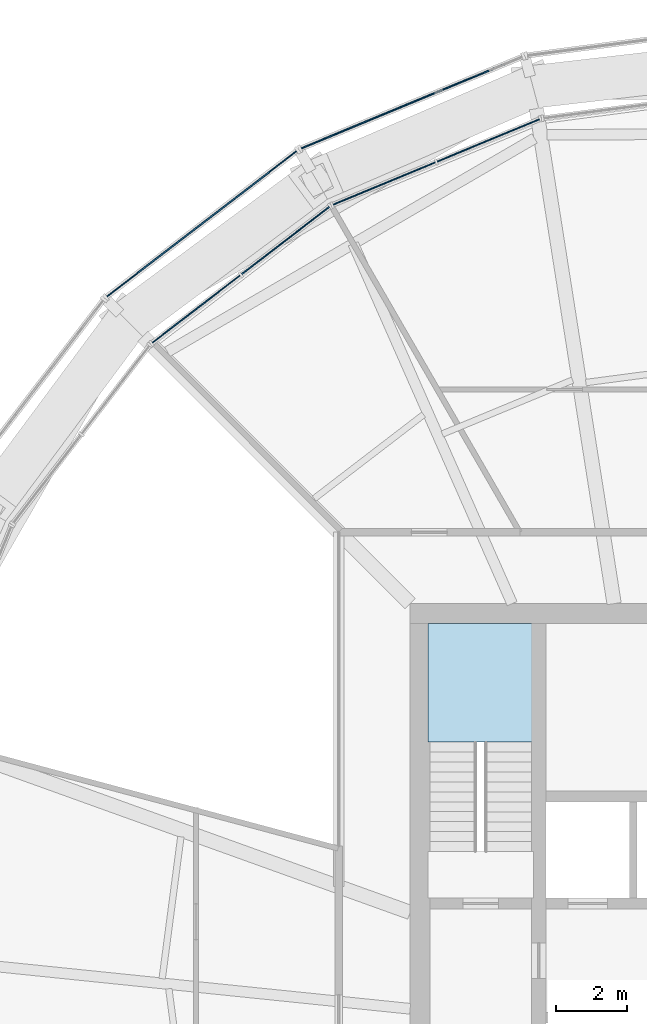
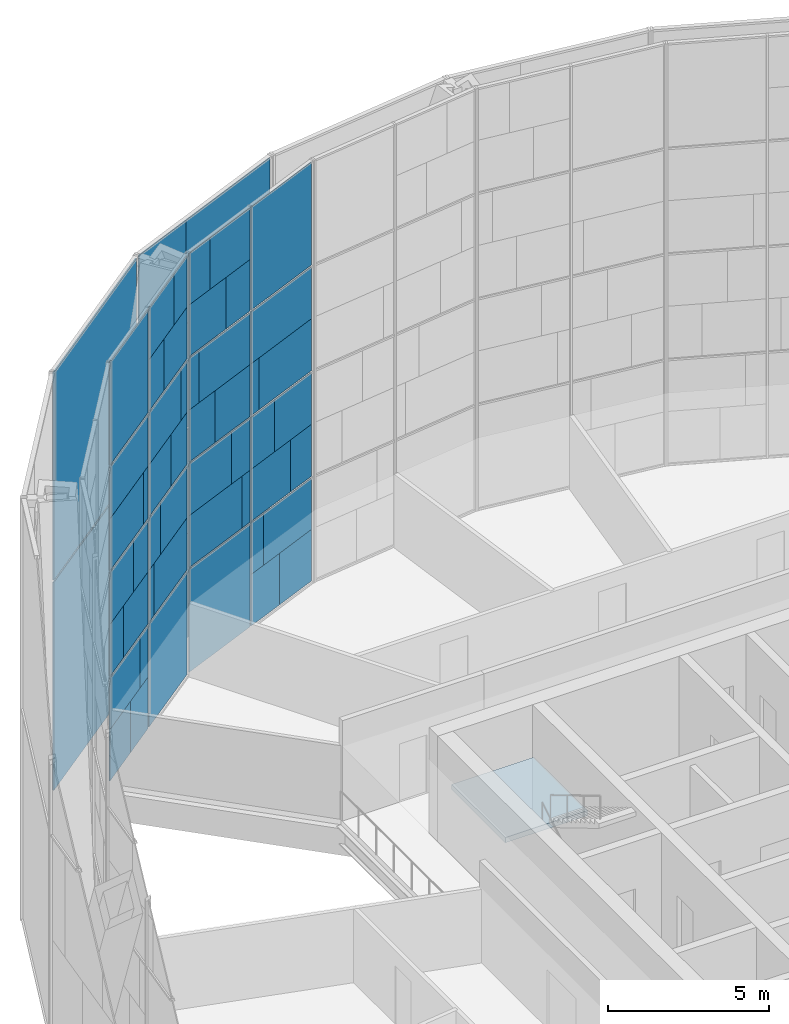
# One storey, part 21 of 28: 60 plates, 1 slab, 5 elements without a shape of their own.
"""IFC4 building model written with IfcOpenShell, lengths in metres."""

import ifcopenshell
import ifcopenshell.guid

model = None  # the IFC model being written
_history = None  # IfcOwnerHistory: only IFC2X3 demands one
_inside = {}  # id of a spatial element -> (the spatial element, [elements in it])
_under = {}  # id of a project, library or spatial element -> (it, [spatial elements below it])
_declared = {}  # id of a project -> (the project, [libraries it declares])
_typed = {}  # id of a type object -> (the type object, [elements of that type])
_made_of = {}  # id of a material, layer set ... -> (it, [elements and type objects made of it])


def new_model(schema):
    """Start an empty IFC model of exactly this schema.

    Asked for "IFC4X3", IfcOpenShell would pick the latest addendum, in which some entities
    have other attributes; the version numbers below select the first issue.
    IFC2X3 requires an IfcOwnerHistory on every rooted entity: one is made here for all.
    """
    global model, _history
    if schema == "IFC4X3":
        model = ifcopenshell.file(schema_version=(4, 3, 0, 0))
    else:
        model = ifcopenshell.file(schema=schema)
    _inside.clear()
    _under.clear()
    _declared.clear()
    _typed.clear()
    _made_of.clear()
    _history = None
    if model.schema == "IFC2X3":
        org = make("IfcOrganization", Name="unknown")
        user = make(
            "IfcPersonAndOrganization",
            ThePerson=make("IfcPerson", FamilyName="unknown"),
            TheOrganization=org,
        )
        app = make(
            "IfcApplication",
            ApplicationDeveloper=org,
            Version="unknown",
            ApplicationFullName="unknown",
            ApplicationIdentifier="unknown",
        )
        _history = make(
            "IfcOwnerHistory",
            OwningUser=user,
            OwningApplication=app,
            ChangeAction="ADDED",
            CreationDate=0,
        )
    return model


def make(cls, **values):
    """One entity of the class cls with the attributes given. An attribute that is None is left unset."""
    return model.create_entity(
        cls, **{name: value for name, value in values.items() if value is not None}
    )


def rooted(cls, **values):
    """An entity with a GlobalId (a new one), such as an element, a storey or a relation."""
    return make(cls, GlobalId=ifcopenshell.guid.new(), OwnerHistory=_history, **values)


def si_unit(unit_type, name, prefix=None):
    """IfcSIUnit, for example si_unit("LENGTHUNIT", "METRE", prefix="MILLI")."""
    return make("IfcSIUnit", UnitType=unit_type, Prefix=prefix, Name=name)


def assignment(units):
    """IfcUnitAssignment: the units of a project."""
    return None if units is None else make("IfcUnitAssignment", Units=units)


def point(xyz):
    """IfcCartesianPoint."""
    return None if xyz is None else make("IfcCartesianPoint", Coordinates=xyz)


def direction(xyz):
    """IfcDirection."""
    return None if xyz is None else make("IfcDirection", DirectionRatios=xyz)


def frame(location, z_axis=None, x_axis=None):
    """IfcAxis2Placement3D, a coordinate frame: its origin and axes. An axis left out is left unset."""
    return make(
        "IfcAxis2Placement3D",
        Location=point(location),
        Axis=direction(z_axis),
        RefDirection=direction(x_axis),
    )


def frame_2d(location, x_axis=None):
    """IfcAxis2Placement2D, a coordinate frame in the plane: its origin and x axis."""
    return make(
        "IfcAxis2Placement2D", Location=point(location), RefDirection=direction(x_axis)
    )


def origin():
    """The frame at (0, 0, 0) with its axes left unset."""
    return frame((0.0, 0.0, 0.0))


def origin_2d():
    """The frame at (0, 0) in the plane with its x axis left unset."""
    return frame_2d((0.0, 0.0))


def place(relative_to, where):
    """IfcLocalPlacement: puts the frame where relative to a parent placement (None: the world)."""
    return make(
        "IfcLocalPlacement", PlacementRelTo=relative_to, RelativePlacement=where
    )


def context(
    kind, dimensions, precision=None, world=None, true_north=None, identifier=None
):
    """IfcGeometricRepresentationContext, for example the 3D "Model" context."""
    return make(
        "IfcGeometricRepresentationContext",
        ContextIdentifier=identifier,
        ContextType=kind,
        CoordinateSpaceDimension=dimensions,
        Precision=precision,
        WorldCoordinateSystem=world,
        TrueNorth=true_north,
    )


def subcontext(parent, identifier, kind, view, scale=None):
    """IfcGeometricRepresentationSubContext, for example "Body" below "Model"."""
    return make(
        "IfcGeometricRepresentationSubContext",
        ContextIdentifier=identifier,
        ContextType=kind,
        ParentContext=parent,
        TargetScale=scale,
        TargetView=view,
    )


def project(units=None, contexts=None):
    """IfcProject with its units and contexts."""
    return rooted(
        "IfcProject",
        Name="project",
        RepresentationContexts=contexts,
        UnitsInContext=assignment(units),
    )


def spatial(cls, under=None, at=None, **own):
    """A site, building, storey or space (cls), placed at a placement, below another one or the project."""
    s = rooted(cls, ObjectPlacement=at, **own)
    if under is not None:
        _under.setdefault(under.id(), (under, []))[1].append(s)
    return s


def polyline(points):
    """IfcPolyline through the points."""
    return make("IfcPolyline", Points=[point(p) for p in points])


def profile(cls, at=None, kind="AREA", **sizes):
    """A parametric profile (cls). Its sizes go by their IFC names, for example OverallWidth=200.0."""
    return make(cls, ProfileType=kind, Position=at, **sizes)


def rectangle(**sizes):
    """IfcRectangleProfileDef."""
    return profile("IfcRectangleProfileDef", **sizes)


def outline(outer, holes=None, kind="AREA"):
    """IfcArbitraryClosedProfileDef: a profile drawn as a closed curve; with holes, ...WithVoids."""
    if holes is None:
        return make("IfcArbitraryClosedProfileDef", ProfileType=kind, OuterCurve=outer)
    return make(
        "IfcArbitraryProfileDefWithVoids",
        ProfileType=kind,
        OuterCurve=outer,
        InnerCurves=holes,
    )


def extrude(swept, where, along, depth):
    """IfcExtrudedAreaSolid: the profile swept, set in the frame where, extruded along a direction by depth."""
    return make(
        "IfcExtrudedAreaSolid",
        SweptArea=swept,
        Position=where,
        ExtrudedDirection=direction(along),
        Depth=depth,
    )


def shape(context_of_items, identifier, shape_type, items):
    """IfcShapeRepresentation: the items that make up one representation, for example the "Body"."""
    return make(
        "IfcShapeRepresentation",
        ContextOfItems=context_of_items,
        RepresentationIdentifier=identifier,
        RepresentationType=shape_type,
        Items=items,
    )


def material(Name=None, Category=None):
    """IfcMaterial."""
    return make("IfcMaterial", Name=Name, Category=Category)


def layer(
    of_material, thickness, ventilated=None, Name=None, Category=None, Priority=None
):
    """IfcMaterialLayer: one layer of a wall or slab, of a material (None: an air gap)."""
    return make(
        "IfcMaterialLayer",
        Material=of_material,
        LayerThickness=thickness,
        IsVentilated=ventilated,
        Name=Name,
        Category=Category,
        Priority=Priority,
    )


def layer_set(layers, Name=None):
    """IfcMaterialLayerSet."""
    return make("IfcMaterialLayerSet", MaterialLayers=layers, LayerSetName=Name)


def made_of(thing, what):
    """Note that an element or type object is made of a material, layer set ...; save() writes the relation."""
    if what is not None:
        _made_of.setdefault(what.id(), (what, []))[1].append(thing)
    return thing


def type_object(cls, material=None, **own):
    """A type object (cls), such as IfcWallType, which elements share."""
    return made_of(rooted(cls, **own), material)


def element(
    cls,
    number,
    at=None,
    inside=None,
    cuts=None,
    type_object=None,
    material=None,
    context=None,
    identifier="Body",
    shape_type=None,
    held_by="IfcProductDefinitionShape",
    body=None,
    shapes=None,
    **own,
):
    """One element of the class cls, such as IfcWall. Its Tag is "e" and its number.

    at: its placement. inside: the storey or other place that contains it. cuts: it is an
    opening in that element (IfcRelVoidsElement). A single representation is given by context,
    identifier, shape_type and body (its items); several are given by shapes. held_by: the class
    of the entity that holds the representations. save() writes the other relations.
    """
    e = rooted(cls, Tag="e%d" % number, ObjectPlacement=at, **own)
    if body is not None:
        shapes = [shape(context, identifier, shape_type, body)]
    if shapes is not None:
        e.Representation = make(held_by, Representations=shapes)
    if inside is not None:
        _inside.setdefault(inside.id(), (inside, []))[1].append(e)
    if cuts is not None:
        rooted(
            "IfcRelVoidsElement", RelatingBuildingElement=cuts, RelatedOpeningElement=e
        )
    if type_object is not None:
        _typed.setdefault(type_object.id(), (type_object, []))[1].append(e)
    return made_of(e, material)


def aggregate(whole, parts):
    """IfcRelAggregates: a whole, such as a stair, and the parts it consists of."""
    return rooted("IfcRelAggregates", RelatingObject=whole, RelatedObjects=parts)


def save(model, path):
    """Write the relations noted so far, then the file.

    IfcRelAggregates (storeys below a building ...), IfcRelContainedInSpatialStructure (elements
    in a storey), IfcRelDefinesByType, IfcRelAssociatesMaterial and IfcRelDeclares: one each for
    every whole, place, type object, material and project.
    """
    for whole, parts in _under.values():
        aggregate(whole, parts)
    for where, things in _inside.values():
        rooted(
            "IfcRelContainedInSpatialStructure",
            RelatedElements=things,
            RelatingStructure=where,
        )
    for kind, things in _typed.values():
        rooted("IfcRelDefinesByType", RelatedObjects=things, RelatingType=kind)
    for what, things in _made_of.values():
        rooted("IfcRelAssociatesMaterial", RelatedObjects=things, RelatingMaterial=what)
    for by, libraries in _declared.values():
        rooted("IfcRelDeclares", RelatingContext=by, RelatedDefinitions=libraries)
    model.write(path)


model = new_model("IFC4")

# Units and contexts
model_context = context("Model", 3, precision=1e-05, world=origin(), true_north=direction((0.0, 1.0)))
body_context = subcontext(model_context, "Body", "Model", "MODEL_VIEW")
ifc_project = project(units=[si_unit("LENGTHUNIT", "METRE"), si_unit("AREAUNIT", "SQUARE_METRE"), si_unit("VOLUMEUNIT", "CUBIC_METRE"), si_unit("PLANEANGLEUNIT", "RADIAN"), si_unit("MASSUNIT", "GRAM", prefix="KILO")], contexts=[model_context])

# Site, building, storey
site_placement = place(None, origin())
site = spatial("IfcSite", under=ifc_project, at=site_placement, CompositionType="ELEMENT")
building_placement = place(site_placement, origin())
building = spatial("IfcBuilding", under=site, at=building_placement, Name="Golbaran Civic Tower", CompositionType="ELEMENT")
storey_placement = place(building_placement, frame((0.0, 0.0, 134.0)))
storey = spatial("IfcBuildingStorey", under=building, at=storey_placement, Name="L32", CompositionType="ELEMENT", Elevation=134.0)

# Curtain wall, plates
ifc_material_1 = material(Name="Aluminium and glass", Category="aluminium")
curtain_wall_type_1 = type_object("IfcCurtainWallType", Name="INNER SKIN CURTAIN WALL", PredefinedType="NOTDEFINED", material=ifc_material_1)
curtain_wall_1_placement = place(storey_placement, origin())
curtain_wall_1 = element("IfcCurtainWall", 1, at=curtain_wall_1_placement, inside=storey, type_object=curtain_wall_type_1, Name="Inner skin L32 facet 8 CW1", ObjectType="INNER SKIN", PredefinedType="USERDEFINED")
ifc_material_2 = material(Name="Clear insulating glass", Category="glass")
ifc_layer_1 = layer(ifc_material_2, 0.031982421875, Name="Clear insulating glass")
ifc_layer_set_1 = layer_set([ifc_layer_1], Name="Clear insulating glass")
plate_type_1 = type_object("IfcPlateType", Name="INNER SKIN CURTAIN WALL GLAZED PANEL", PredefinedType="CURTAIN_PANEL", material=ifc_layer_set_1)
plate_1_placement = place(storey_placement, frame((-8.56640625, 22.662841796875, 0.06494140625), z_axis=(0.0, 0.0, 1.0), x_axis=(-0.923879532485, -0.38268343243, 0.0)))
plate_1 = element("IfcPlate", 2, at=plate_1_placement, type_object=plate_type_1, Name="CW1 panel 1.1 part 2", PredefinedType="CURTAIN_PANEL", context=body_context, shape_type="SweptSolid", body=[
    extrude(rectangle(XDim=1.45166015625, YDim=0.031982421875, at=origin_2d()), origin(), (0.0, 0.0, 1.0), 1.951171875),
])
plate_2_placement = place(storey_placement, frame((-8.9384765625, 22.5087890625, 2.016357421875), z_axis=(0.0, 0.0, 1.0), x_axis=(-0.923879532485, -0.38268343243, 0.0)))
plate_2 = element("IfcPlate", 3, at=plate_2_placement, type_object=plate_type_1, Name="CW1 panel 1.1 part 4", PredefinedType="CURTAIN_PANEL", context=body_context, shape_type="SweptSolid", body=[
    extrude(rectangle(XDim=0.646484375, YDim=0.031982421875, at=origin_2d()), origin(), (0.0, 0.0, 1.0), 1.951171875),
])
plate_3_placement = place(storey_placement, frame((-6.87744140625, 23.362548828125, 4.03271484375), z_axis=(0.0, 0.0, 1.0), x_axis=(-0.923879532485, -0.38268343243, 0.0)))
plate_3 = element("IfcPlate", 4, at=plate_3_placement, type_object=plate_type_1, Name="CW1 panel 1.2 part 1", PredefinedType="CURTAIN_PANEL", context=body_context, shape_type="SweptSolid", body=[
    extrude(rectangle(XDim=1.072998046875, YDim=0.031982421875, at=origin_2d()), origin(), (0.0, 0.0, 1.0), 1.967529296875),
])
plate_4_placement = place(storey_placement, frame((-7.25244140625, 23.207275390625, 6.0), z_axis=(0.0, 0.0, 1.0), x_axis=(-0.923879532485, -0.38268343243, 0.0)))
plate_4 = element("IfcPlate", 5, at=plate_4_placement, type_object=plate_type_1, Name="CW1 panel 1.2 part 3", PredefinedType="CURTAIN_PANEL", context=body_context, shape_type="SweptSolid", body=[
    extrude(rectangle(XDim=1.885009765625, YDim=0.031982421875, at=origin_2d()), origin(), (0.0, 0.0, 1.0), 1.967529296875),
])
plate_5_placement = place(storey_placement, frame((-7.623779296875, 23.053466796875, 8.03271484375), z_axis=(0.0, 0.0, 1.0), x_axis=(-0.923879532485, -0.38268343243, 0.0)))
plate_5 = element("IfcPlate", 6, at=plate_5_placement, type_object=plate_type_1, Name="CW1 panel 1.3 part 1", PredefinedType="CURTAIN_PANEL", context=body_context, shape_type="SweptSolid", body=[
    extrude(rectangle(XDim=2.68896484375, YDim=0.031982421875, at=origin_2d()), origin(), (0.0, 0.0, 1.0), 1.967529296875),
])
plate_6_placement = place(storey_placement, frame((-7.809326171875, 22.9765625, 10.0), z_axis=(0.0, 0.0, 1.0), x_axis=(-0.923879532485, -0.38268343243, 0.0)))
plate_6 = element("IfcPlate", 7, at=plate_6_placement, type_object=plate_type_1, Name="CW1 panel 1.3 part 3", PredefinedType="CURTAIN_PANEL", context=body_context, shape_type="SweptSolid", body=[
    extrude(rectangle(XDim=3.090576171875, YDim=0.031982421875, at=origin_2d()), origin(), (0.0, 0.0, 1.0), 1.967529296875),
])
plate_7_placement = place(storey_placement, frame((-7.809326171875, 22.9765625, 12.0322265625), z_axis=(0.0, 0.0, 1.0), x_axis=(-0.923879532485, -0.38268343243, 0.0)))
plate_7 = element("IfcPlate", 8, at=plate_7_placement, type_object=plate_type_1, Name="CW1 panel 1.4", PredefinedType="CURTAIN_PANEL", context=body_context, shape_type="SweptSolid", body=[
    extrude(rectangle(XDim=3.090576171875, YDim=0.031982421875, at=origin_2d()), origin(), (0.0, 0.0, 1.0), 3.902587890625),
])
plate_8_placement = place(storey_placement, frame((-10.724853515625, 21.768798828125, 0.06494140625), z_axis=(0.0, 0.0, 1.0), x_axis=(-0.923879532485, -0.38268343243, 0.0)))
plate_8 = element("IfcPlate", 9, at=plate_8_placement, type_object=plate_type_1, Name="CW1 panel 2.1", PredefinedType="CURTAIN_PANEL", context=body_context, shape_type="SweptSolid", body=[
    extrude(rectangle(XDim=3.090576171875, YDim=0.031982421875, at=origin_2d()), origin(), (0.0, 0.0, 1.0), 3.902587890625),
])
plate_9_placement = place(storey_placement, frame((-10.909912109375, 21.692138671875, 4.03271484375), z_axis=(0.0, 0.0, 1.0), x_axis=(-0.923879532485, -0.38268343243, 0.0)))
plate_9 = element("IfcPlate", 10, at=plate_9_placement, type_object=plate_type_1, Name="CW1 panel 2.2 part 2", PredefinedType="CURTAIN_PANEL", context=body_context, shape_type="SweptSolid", body=[
    extrude(rectangle(XDim=2.689697265625, YDim=0.031982421875, at=origin_2d()), origin(), (0.0, 0.0, 1.0), 1.967529296875),
])
plate_10_placement = place(storey_placement, frame((-11.158447265625, 21.58935546875, 6.0), z_axis=(0.0, 0.0, 1.0), x_axis=(-0.923879532485, -0.38268343243, 0.0)))
plate_10 = element("IfcPlate", 11, at=plate_10_placement, type_object=plate_type_1, Name="CW1 panel 2.2 part 4", PredefinedType="CURTAIN_PANEL", context=body_context, shape_type="SweptSolid", body=[
    extrude(rectangle(XDim=2.151611328125, YDim=0.031982421875, at=origin_2d()), origin(), (0.0, 0.0, 1.0), 1.967529296875),
])
plate_11_placement = place(storey_placement, frame((-11.546142578125, 21.4287109375, 8.03271484375), z_axis=(0.0, 0.0, 1.0), x_axis=(-0.923879532485, -0.38268343243, 0.0)))
plate_11 = element("IfcPlate", 12, at=plate_11_placement, type_object=plate_type_1, Name="CW1 panel 2.3 part 2", PredefinedType="CURTAIN_PANEL", context=body_context, shape_type="SweptSolid", body=[
    extrude(rectangle(XDim=1.3125, YDim=0.031982421875, at=origin_2d()), origin(), (0.0, 0.0, 1.0), 1.967529296875),
])
plate_12_placement = place(storey_placement, frame((-11.920654296875, 21.2734375, 10.0), z_axis=(0.0, 0.0, 1.0), x_axis=(-0.923879532485, -0.38268343243, 0.0)))
plate_12 = element("IfcPlate", 13, at=plate_12_placement, type_object=plate_type_1, Name="CW1 panel 2.3 part 4", PredefinedType="CURTAIN_PANEL", context=body_context, shape_type="SweptSolid", body=[
    extrude(rectangle(XDim=0.501708984375, YDim=0.031982421875, at=origin_2d()), origin(), (0.0, 0.0, 1.0), 1.967529296875),
])
plate_13_placement = place(storey_placement, frame((-9.85986328125, 22.127197265625, 12.032470703125), z_axis=(0.0, 0.0, 1.0), x_axis=(-0.923879532485, -0.38268343243, 0.0)))
plate_13 = element("IfcPlate", 14, at=plate_13_placement, type_object=plate_type_1, Name="CW1 panel 2.4 part 1", PredefinedType="CURTAIN_PANEL", context=body_context, shape_type="SweptSolid", body=[
    extrude(rectangle(XDim=1.218017578125, YDim=0.031982421875, at=origin_2d()), origin(), (0.0, 0.0, 1.0), 1.951171875),
])
plate_14_placement = place(storey_placement, frame((-10.231689453125, 21.97314453125, 13.98388671875), z_axis=(0.0, 0.0, 1.0), x_axis=(-0.923879532485, -0.38268343243, 0.0)))
plate_14 = element("IfcPlate", 15, at=plate_14_placement, type_object=plate_type_1, Name="CW1 panel 2.4 part 3", PredefinedType="CURTAIN_PANEL", context=body_context, shape_type="SweptSolid", body=[
    extrude(rectangle(XDim=2.02294921875, YDim=0.031982421875, at=origin_2d()), origin(), (0.0, 0.0, 1.0), 1.951171875),
])

curtain_wall_2_placement = place(storey_placement, origin())
curtain_wall_2 = element("IfcCurtainWall", 16, at=curtain_wall_2_placement, inside=storey, type_object=curtain_wall_type_1, Name="Inner skin L32 facet 9 CW1", ObjectType="INNER SKIN", PredefinedType="USERDEFINED")
plate_15_placement = place(storey_placement, frame((-13.489990234375, 20.17236328125, 0.06494140625), z_axis=(0.0, 0.0, 1.0), x_axis=(-0.793353340259, -0.60876142905, 0.0)))
plate_15 = element("IfcPlate", 17, at=plate_15_placement, type_object=plate_type_1, Name="CW1 panel 1.1", PredefinedType="CURTAIN_PANEL", context=body_context, shape_type="SweptSolid", body=[
    extrude(rectangle(XDim=3.090576171875, YDim=0.031982421875, at=origin_2d()), origin(), (0.0, 0.0, 1.0), 3.902587890625),
])
plate_16_placement = place(storey_placement, frame((-13.330810546875, 20.294677734375, 4.03271484375), z_axis=(0.0, 0.0, 1.0), x_axis=(-0.793353340259, -0.60876142905, 0.0)))
plate_16 = element("IfcPlate", 18, at=plate_16_placement, type_object=plate_type_1, Name="CW1 panel 1.2 part 1", PredefinedType="CURTAIN_PANEL", context=body_context, shape_type="SweptSolid", body=[
    extrude(rectangle(XDim=2.68896484375, YDim=0.031982421875, at=origin_2d()), origin(), (0.0, 0.0, 1.0), 1.967529296875),
])
plate_17_placement = place(storey_placement, frame((-13.117431640625, 20.45849609375, 6.0), z_axis=(0.0, 0.0, 1.0), x_axis=(-0.793353340259, -0.60876142905, 0.0)))
plate_17 = element("IfcPlate", 19, at=plate_17_placement, type_object=plate_type_1, Name="CW1 panel 1.2 part 3", PredefinedType="CURTAIN_PANEL", context=body_context, shape_type="SweptSolid", body=[
    extrude(rectangle(XDim=2.15087890625, YDim=0.031982421875, at=origin_2d()), origin(), (0.0, 0.0, 1.0), 1.967529296875),
])
plate_18_placement = place(storey_placement, frame((-12.784912109375, 20.71337890625, 8.03271484375), z_axis=(0.0, 0.0, 1.0), x_axis=(-0.793353340259, -0.60876142905, 0.0)))
plate_18 = element("IfcPlate", 20, at=plate_18_placement, type_object=plate_type_1, Name="CW1 panel 1.3 part 1", PredefinedType="CURTAIN_PANEL", context=body_context, shape_type="SweptSolid", body=[
    extrude(rectangle(XDim=1.31298828125, YDim=0.031982421875, at=origin_2d()), origin(), (0.0, 0.0, 1.0), 1.967529296875),
])
plate_19_placement = place(storey_placement, frame((-12.462890625, 20.960693359375, 10.0), z_axis=(0.0, 0.0, 1.0), x_axis=(-0.793353340259, -0.60876142905, 0.0)))
plate_19 = element("IfcPlate", 21, at=plate_19_placement, type_object=plate_type_1, Name="CW1 panel 1.3 part 3", PredefinedType="CURTAIN_PANEL", context=body_context, shape_type="SweptSolid", body=[
    extrude(rectangle(XDim=0.5009765625, YDim=0.031982421875, at=origin_2d()), origin(), (0.0, 0.0, 1.0), 1.967529296875),
])
plate_20_placement = place(storey_placement, frame((-14.232666015625, 19.6025390625, 12.032470703125), z_axis=(0.0, 0.0, 1.0), x_axis=(-0.793353340259, -0.60876142905, 0.0)))
plate_20 = element("IfcPlate", 22, at=plate_20_placement, type_object=plate_type_1, Name="CW1 panel 1.4 part 2", PredefinedType="CURTAIN_PANEL", context=body_context, shape_type="SweptSolid", body=[
    extrude(rectangle(XDim=1.218505859375, YDim=0.031982421875, at=origin_2d()), origin(), (0.0, 0.0, 1.0), 1.951171875),
])
plate_21_placement = place(storey_placement, frame((-13.913330078125, 19.84765625, 13.98388671875), z_axis=(0.0, 0.0, 1.0), x_axis=(-0.793353340259, -0.60876142905, 0.0)))
plate_21 = element("IfcPlate", 23, at=plate_21_placement, type_object=plate_type_1, Name="CW1 panel 1.4 part 4", PredefinedType="CURTAIN_PANEL", context=body_context, shape_type="SweptSolid", body=[
    extrude(rectangle(XDim=2.023681640625, YDim=0.031982421875, at=origin_2d()), origin(), (0.0, 0.0, 1.0), 1.951171875),
])
plate_22_placement = place(storey_placement, frame((-15.34326171875, 18.75048828125, 0.06494140625), z_axis=(0.0, 0.0, 1.0), x_axis=(-0.793353340259, -0.60876142905, 0.0)))
plate_22 = element("IfcPlate", 24, at=plate_22_placement, type_object=plate_type_1, Name="CW1 panel 2.1 part 1", PredefinedType="CURTAIN_PANEL", context=body_context, shape_type="SweptSolid", body=[
    extrude(rectangle(XDim=1.450927734375, YDim=0.031982421875, at=origin_2d()), origin(), (0.0, 0.0, 1.0), 1.951171875),
])
plate_23_placement = place(storey_placement, frame((-15.02392578125, 18.995361328125, 2.016357421875), z_axis=(0.0, 0.0, 1.0), x_axis=(-0.793353340259, -0.60876142905, 0.0)))
plate_23 = element("IfcPlate", 25, at=plate_23_placement, type_object=plate_type_1, Name="CW1 panel 2.1 part 3", PredefinedType="CURTAIN_PANEL", context=body_context, shape_type="SweptSolid", body=[
    extrude(rectangle(XDim=0.64599609375, YDim=0.031982421875, at=origin_2d()), origin(), (0.0, 0.0, 1.0), 1.951171875),
])
plate_24_placement = place(storey_placement, frame((-16.793701171875, 17.637451171875, 4.03271484375), z_axis=(0.0, 0.0, 1.0), x_axis=(-0.793353340259, -0.60876142905, 0.0)))
plate_24 = element("IfcPlate", 26, at=plate_24_placement, type_object=plate_type_1, Name="CW1 panel 2.2 part 2", PredefinedType="CURTAIN_PANEL", context=body_context, shape_type="SweptSolid", body=[
    extrude(rectangle(XDim=1.073486328125, YDim=0.031982421875, at=origin_2d()), origin(), (0.0, 0.0, 1.0), 1.967529296875),
])
plate_25_placement = place(storey_placement, frame((-16.471923828125, 17.88427734375, 6.0), z_axis=(0.0, 0.0, 1.0), x_axis=(-0.793353340259, -0.60876142905, 0.0)))
plate_25 = element("IfcPlate", 27, at=plate_25_placement, type_object=plate_type_1, Name="CW1 panel 2.2 part 4", PredefinedType="CURTAIN_PANEL", context=body_context, shape_type="SweptSolid", body=[
    extrude(rectangle(XDim=1.884521484375, YDim=0.031982421875, at=origin_2d()), origin(), (0.0, 0.0, 1.0), 1.967529296875),
])
plate_26_placement = place(storey_placement, frame((-16.152587890625, 18.12939453125, 8.03271484375), z_axis=(0.0, 0.0, 1.0), x_axis=(-0.793353340259, -0.60876142905, 0.0)))
plate_26 = element("IfcPlate", 28, at=plate_26_placement, type_object=plate_type_1, Name="CW1 panel 2.3 part 2", PredefinedType="CURTAIN_PANEL", context=body_context, shape_type="SweptSolid", body=[
    extrude(rectangle(XDim=2.689697265625, YDim=0.031982421875, at=origin_2d()), origin(), (0.0, 0.0, 1.0), 1.967529296875),
])
plate_27_placement = place(storey_placement, frame((-15.99365234375, 18.25146484375, 10.0), z_axis=(0.0, 0.0, 1.0), x_axis=(-0.793353340259, -0.60876142905, 0.0)))
plate_27 = element("IfcPlate", 29, at=plate_27_placement, type_object=plate_type_1, Name="CW1 panel 2.3 part 3", PredefinedType="CURTAIN_PANEL", context=body_context, shape_type="SweptSolid", body=[
    extrude(rectangle(XDim=3.090576171875, YDim=0.031982421875, at=origin_2d()), origin(), (0.0, 0.0, 1.0), 1.967529296875),
])
plate_28_placement = place(storey_placement, frame((-15.99365234375, 18.25146484375, 12.0322265625), z_axis=(0.0, 0.0, 1.0), x_axis=(-0.793353340259, -0.60876142905, 0.0)))
plate_28 = element("IfcPlate", 30, at=plate_28_placement, type_object=plate_type_1, Name="CW1 panel 2.4", PredefinedType="CURTAIN_PANEL", context=body_context, shape_type="SweptSolid", body=[
    extrude(rectangle(XDim=3.090576171875, YDim=0.031982421875, at=origin_2d()), origin(), (0.0, 0.0, 1.0), 3.902587890625),
])

# Plate
ifc_material_3 = material(Name="Aluminium faced opaque infill panel", Category="aluminium")
ifc_layer_2 = layer(ifc_material_3, 0.031982421875, Name="Aluminium faced opaque infill panel")
ifc_layer_set_2 = layer_set([ifc_layer_2], Name="Aluminium faced opaque infill panel")
plate_type_2 = type_object("IfcPlateType", Name="INNER SKIN CURTAIN WALL OPAQUE INFILL PANEL", PredefinedType="CURTAIN_PANEL", material=ifc_layer_set_2)
plate_29_placement = place(storey_placement, frame((-7.138916015625, 23.254150390625, 0.06494140625), z_axis=(0.0, 0.0, 1.0), x_axis=(-0.923879532485, -0.38268343243, 0.0)))
plate_29 = element("IfcPlate", 31, at=plate_29_placement, type_object=plate_type_2, Name="CW1 infill panel 1.1 part 1", PredefinedType="CURTAIN_PANEL", context=body_context, shape_type="SweptSolid", body=[
    extrude(rectangle(XDim=1.638916015625, YDim=0.031982421875, at=origin_2d()), origin(), (0.0, 0.0, 1.0), 1.951171875),
])

plate_30_placement = place(storey_placement, frame((-7.5107421875, 23.100341796875, 2.016357421875), z_axis=(0.0, 0.0, 1.0), x_axis=(-0.923879532485, -0.38268343243, 0.0)))
plate_30 = element("IfcPlate", 32, at=plate_30_placement, type_object=plate_type_2, Name="CW1 infill panel 1.1 part 3", PredefinedType="CURTAIN_PANEL", context=body_context, shape_type="SweptSolid", body=[
    extrude(rectangle(XDim=2.444091796875, YDim=0.031982421875, at=origin_2d()), origin(), (0.0, 0.0, 1.0), 1.951171875),
])

plate_31_placement = place(storey_placement, frame((-8.304931640625, 22.771240234375, 4.03271484375), z_axis=(0.0, 0.0, 1.0), x_axis=(-0.923879532485, -0.38268343243, 0.0)))
plate_31 = element("IfcPlate", 33, at=plate_31_placement, type_object=plate_type_2, Name="CW1 infill panel 1.2 part 2", PredefinedType="CURTAIN_PANEL", context=body_context, shape_type="SweptSolid", body=[
    extrude(rectangle(XDim=2.017578125, YDim=0.031982421875, at=origin_2d()), origin(), (0.0, 0.0, 1.0), 1.967529296875),
])

plate_32_placement = place(storey_placement, frame((-8.68017578125, 22.61572265625, 6.0), z_axis=(0.0, 0.0, 1.0), x_axis=(-0.923879532485, -0.38268343243, 0.0)))
plate_32 = element("IfcPlate", 34, at=plate_32_placement, type_object=plate_type_2, Name="CW1 infill panel 1.2 part 4", PredefinedType="CURTAIN_PANEL", context=body_context, shape_type="SweptSolid", body=[
    extrude(rectangle(XDim=1.20556640625, YDim=0.031982421875, at=origin_2d()), origin(), (0.0, 0.0, 1.0), 1.967529296875),
])

plate_33_placement = place(storey_placement, frame((-9.051513671875, 22.4619140625, 8.03271484375), z_axis=(0.0, 0.0, 1.0), x_axis=(-0.923879532485, -0.38268343243, 0.0)))
plate_33 = element("IfcPlate", 35, at=plate_33_placement, type_object=plate_type_2, Name="CW1 infill panel 1.3 part 2", PredefinedType="CURTAIN_PANEL", context=body_context, shape_type="SweptSolid", body=[
    extrude(rectangle(XDim=0.401611328125, YDim=0.031982421875, at=origin_2d()), origin(), (0.0, 0.0, 1.0), 1.967529296875),
])

plate_34_placement = place(storey_placement, frame((-9.482421875, 22.283447265625, 4.03271484375), z_axis=(0.0, 0.0, 1.0), x_axis=(-0.923879532485, -0.38268343243, 0.0)))
plate_34 = element("IfcPlate", 36, at=plate_34_placement, type_object=plate_type_2, Name="CW1 infill panel 2.2 part 1", PredefinedType="CURTAIN_PANEL", context=body_context, shape_type="SweptSolid", body=[
    extrude(rectangle(XDim=0.40087890625, YDim=0.031982421875, at=origin_2d()), origin(), (0.0, 0.0, 1.0), 1.967529296875),
])

plate_35_placement = place(storey_placement, frame((-9.73095703125, 22.1806640625, 6.0), z_axis=(0.0, 0.0, 1.0), x_axis=(-0.923879532485, -0.38268343243, 0.0)))
plate_35 = element("IfcPlate", 37, at=plate_35_placement, type_object=plate_type_2, Name="CW1 infill panel 2.2 part 3", PredefinedType="CURTAIN_PANEL", context=body_context, shape_type="SweptSolid", body=[
    extrude(rectangle(XDim=0.93896484375, YDim=0.031982421875, at=origin_2d()), origin(), (0.0, 0.0, 1.0), 1.967529296875),
])

plate_36_placement = place(storey_placement, frame((-10.118408203125, 22.02001953125, 8.03271484375), z_axis=(0.0, 0.0, 1.0), x_axis=(-0.923879532485, -0.38268343243, 0.0)))
plate_36 = element("IfcPlate", 38, at=plate_36_placement, type_object=plate_type_2, Name="CW1 infill panel 2.3 part 1", PredefinedType="CURTAIN_PANEL", context=body_context, shape_type="SweptSolid", body=[
    extrude(rectangle(XDim=1.778076171875, YDim=0.031982421875, at=origin_2d()), origin(), (0.0, 0.0, 1.0), 1.967529296875),
])

plate_37_placement = place(storey_placement, frame((-10.4931640625, 21.864990234375, 10.0), z_axis=(0.0, 0.0, 1.0), x_axis=(-0.923879532485, -0.38268343243, 0.0)))
plate_37 = element("IfcPlate", 39, at=plate_37_placement, type_object=plate_type_2, Name="CW1 infill panel 2.3 part 3", PredefinedType="CURTAIN_PANEL", context=body_context, shape_type="SweptSolid", body=[
    extrude(rectangle(XDim=2.589111328125, YDim=0.031982421875, at=origin_2d()), origin(), (0.0, 0.0, 1.0), 1.967529296875),
])

plate_38_placement = place(storey_placement, frame((-11.287353515625, 21.535888671875, 12.032470703125), z_axis=(0.0, 0.0, 1.0), x_axis=(-0.923879532485, -0.38268343243, 0.0)))
plate_38 = element("IfcPlate", 40, at=plate_38_placement, type_object=plate_type_2, Name="CW1 infill panel 2.4 part 2", PredefinedType="CURTAIN_PANEL", context=body_context, shape_type="SweptSolid", body=[
    extrude(rectangle(XDim=1.87255859375, YDim=0.031982421875, at=origin_2d()), origin(), (0.0, 0.0, 1.0), 1.951171875),
])

plate_39_placement = place(storey_placement, frame((-11.6591796875, 21.3818359375, 13.98388671875), z_axis=(0.0, 0.0, 1.0), x_axis=(-0.923879532485, -0.38268343243, 0.0)))
plate_39 = element("IfcPlate", 41, at=plate_39_placement, type_object=plate_type_2, Name="CW1 infill panel 2.4 part 4", PredefinedType="CURTAIN_PANEL", context=body_context, shape_type="SweptSolid", body=[
    extrude(rectangle(XDim=1.067626953125, YDim=0.031982421875, at=origin_2d()), origin(), (0.0, 0.0, 1.0), 1.951171875),
])

aggregate(curtain_wall_1, [plate_29, plate_1, plate_30, plate_2, plate_3, plate_31, plate_4, plate_32, plate_5, plate_33, plate_6, plate_7, plate_8, plate_34, plate_9, plate_35, plate_10, plate_36, plate_11, plate_37, plate_12, plate_13, plate_38, plate_14, plate_39])

plate_40_placement = place(storey_placement, frame((-14.556640625, 19.35400390625, 4.03271484375), z_axis=(0.0, 0.0, 1.0), x_axis=(-0.793353340259, -0.60876142905, 0.0)))
plate_40 = element("IfcPlate", 42, at=plate_40_placement, type_object=plate_type_2, Name="CW1 infill panel 1.2 part 2", PredefinedType="CURTAIN_PANEL", context=body_context, shape_type="SweptSolid", body=[
    extrude(rectangle(XDim=0.401611328125, YDim=0.031982421875, at=origin_2d()), origin(), (0.0, 0.0, 1.0), 1.967529296875),
])

plate_41_placement = place(storey_placement, frame((-14.34326171875, 19.517578125, 6.0), z_axis=(0.0, 0.0, 1.0), x_axis=(-0.793353340259, -0.60876142905, 0.0)))
plate_41 = element("IfcPlate", 43, at=plate_41_placement, type_object=plate_type_2, Name="CW1 infill panel 1.2 part 4", PredefinedType="CURTAIN_PANEL", context=body_context, shape_type="SweptSolid", body=[
    extrude(rectangle(XDim=0.939697265625, YDim=0.031982421875, at=origin_2d()), origin(), (0.0, 0.0, 1.0), 1.967529296875),
])

plate_42_placement = place(storey_placement, frame((-14.010986328125, 19.772705078125, 8.03271484375), z_axis=(0.0, 0.0, 1.0), x_axis=(-0.793353340259, -0.60876142905, 0.0)))
plate_42 = element("IfcPlate", 44, at=plate_42_placement, type_object=plate_type_2, Name="CW1 infill panel 1.3 part 2", PredefinedType="CURTAIN_PANEL", context=body_context, shape_type="SweptSolid", body=[
    extrude(rectangle(XDim=1.777587890625, YDim=0.031982421875, at=origin_2d()), origin(), (0.0, 0.0, 1.0), 1.967529296875),
])

plate_43_placement = place(storey_placement, frame((-13.688720703125, 20.019775390625, 10.0), z_axis=(0.0, 0.0, 1.0), x_axis=(-0.793353340259, -0.60876142905, 0.0)))
plate_43 = element("IfcPlate", 45, at=plate_43_placement, type_object=plate_type_2, Name="CW1 infill panel 1.3 part 4", PredefinedType="CURTAIN_PANEL", context=body_context, shape_type="SweptSolid", body=[
    extrude(rectangle(XDim=2.589599609375, YDim=0.031982421875, at=origin_2d()), origin(), (0.0, 0.0, 1.0), 1.967529296875),
])

plate_44_placement = place(storey_placement, frame((-13.006591796875, 20.543212890625, 12.032470703125), z_axis=(0.0, 0.0, 1.0), x_axis=(-0.793353340259, -0.60876142905, 0.0)))
plate_44 = element("IfcPlate", 46, at=plate_44_placement, type_object=plate_type_2, Name="CW1 infill panel 1.4 part 1", PredefinedType="CURTAIN_PANEL", context=body_context, shape_type="SweptSolid", body=[
    extrude(rectangle(XDim=1.8720703125, YDim=0.031982421875, at=origin_2d()), origin(), (0.0, 0.0, 1.0), 1.951171875),
])

plate_45_placement = place(storey_placement, frame((-12.687255859375, 20.788330078125, 13.98388671875), z_axis=(0.0, 0.0, 1.0), x_axis=(-0.793353340259, -0.60876142905, 0.0)))
plate_45 = element("IfcPlate", 47, at=plate_45_placement, type_object=plate_type_2, Name="CW1 infill panel 1.4 part 3", PredefinedType="CURTAIN_PANEL", context=body_context, shape_type="SweptSolid", body=[
    extrude(rectangle(XDim=1.06689453125, YDim=0.031982421875, at=origin_2d()), origin(), (0.0, 0.0, 1.0), 1.951171875),
])

plate_46_placement = place(storey_placement, frame((-16.569091796875, 17.809814453125, 0.06494140625), z_axis=(0.0, 0.0, 1.0), x_axis=(-0.793353340259, -0.60876142905, 0.0)))
plate_46 = element("IfcPlate", 48, at=plate_46_placement, type_object=plate_type_2, Name="CW1 infill panel 2.1 part 2", PredefinedType="CURTAIN_PANEL", context=body_context, shape_type="SweptSolid", body=[
    extrude(rectangle(XDim=1.6396484375, YDim=0.031982421875, at=origin_2d()), origin(), (0.0, 0.0, 1.0), 1.951171875),
])

plate_47_placement = place(storey_placement, frame((-16.249755859375, 18.0546875, 2.016357421875), z_axis=(0.0, 0.0, 1.0), x_axis=(-0.793353340259, -0.60876142905, 0.0)))
plate_47 = element("IfcPlate", 49, at=plate_47_placement, type_object=plate_type_2, Name="CW1 infill panel 2.1 part 4", PredefinedType="CURTAIN_PANEL", context=body_context, shape_type="SweptSolid", body=[
    extrude(rectangle(XDim=2.444580078125, YDim=0.031982421875, at=origin_2d()), origin(), (0.0, 0.0, 1.0), 1.951171875),
])

plate_48_placement = place(storey_placement, frame((-15.567626953125, 18.578125, 4.03271484375), z_axis=(0.0, 0.0, 1.0), x_axis=(-0.793353340259, -0.60876142905, 0.0)))
plate_48 = element("IfcPlate", 50, at=plate_48_placement, type_object=plate_type_2, Name="CW1 infill panel 2.2 part 1", PredefinedType="CURTAIN_PANEL", context=body_context, shape_type="SweptSolid", body=[
    extrude(rectangle(XDim=2.01708984375, YDim=0.031982421875, at=origin_2d()), origin(), (0.0, 0.0, 1.0), 1.967529296875),
])

plate_49_placement = place(storey_placement, frame((-15.245849609375, 18.824951171875, 6.0), z_axis=(0.0, 0.0, 1.0), x_axis=(-0.793353340259, -0.60876142905, 0.0)))
plate_49 = element("IfcPlate", 51, at=plate_49_placement, type_object=plate_type_2, Name="CW1 infill panel 2.2 part 3", PredefinedType="CURTAIN_PANEL", context=body_context, shape_type="SweptSolid", body=[
    extrude(rectangle(XDim=1.2060546875, YDim=0.031982421875, at=origin_2d()), origin(), (0.0, 0.0, 1.0), 1.967529296875),
])

plate_50_placement = place(storey_placement, frame((-14.9267578125, 19.070068359375, 8.03271484375), z_axis=(0.0, 0.0, 1.0), x_axis=(-0.793353340259, -0.60876142905, 0.0)))
plate_50 = element("IfcPlate", 52, at=plate_50_placement, type_object=plate_type_2, Name="CW1 infill panel 2.3 part 1", PredefinedType="CURTAIN_PANEL", context=body_context, shape_type="SweptSolid", body=[
    extrude(rectangle(XDim=0.40087890625, YDim=0.031982421875, at=origin_2d()), origin(), (0.0, 0.0, 1.0), 1.967529296875),
])

aggregate(curtain_wall_2, [plate_15, plate_16, plate_40, plate_17, plate_41, plate_18, plate_42, plate_19, plate_43, plate_44, plate_20, plate_45, plate_21, plate_22, plate_46, plate_23, plate_47, plate_48, plate_24, plate_49, plate_25, plate_50, plate_26, plate_27, plate_28])

# Curtain wall, plates
curtain_wall_type_2 = type_object("IfcCurtainWallType", Name="OUTER SKIN TERRACOTTA SCREEN", PredefinedType="NOTDEFINED", material=ifc_material_1)
curtain_wall_3_placement = place(storey_placement, origin())
curtain_wall_3 = element("IfcCurtainWall", 53, at=curtain_wall_3_placement, inside=storey, type_object=curtain_wall_type_2, Name="Outer skin L32 facet 8 CW3", ObjectType="OUTER SKIN", PredefinedType="USERDEFINED")
ifc_material_4 = material(Name="Clear laminated glass", Category="glass")
ifc_layer_3 = layer(ifc_material_4, 0.0400390625, Name="Clear laminated glass")
ifc_layer_set_3 = layer_set([ifc_layer_3], Name="Clear laminated glass")
plate_type_3 = type_object("IfcPlateType", Name="OUTER SKIN CLEAR GLASS PANEL", PredefinedType="CURTAIN_PANEL", material=ifc_layer_set_3)
plate_51_placement = place(storey_placement, frame((-11.06201171875, 23.576904296875, -0.6298828125), z_axis=(0.0, 0.0, 1.0), x_axis=(-0.923879532498, -0.382683432397, 0.0)))
plate_51 = element("IfcPlate", 54, at=plate_51_placement, type_object=plate_type_3, Name="CW3 panel 1.1 part 2", PredefinedType="CURTAIN_PANEL", context=body_context, shape_type="SweptSolid", body=[
    extrude(rectangle(XDim=4.294921875, YDim=0.0400390625, at=origin_2d()), origin(), (0.0, 0.0, 1.0), 3.93994140625),
])
plate_52_placement = place(storey_placement, frame((-11.813232421875, 23.265869140625, 3.31005859375), z_axis=(0.0, 0.0, 1.0), x_axis=(-0.923879532498, -0.382683432397, 0.0)))
plate_52 = element("IfcPlate", 55, at=plate_52_placement, type_object=plate_type_3, Name="CW3 panel 1.1 part 5", PredefinedType="CURTAIN_PANEL", context=body_context, shape_type="SweptSolid", body=[
    extrude(rectangle(XDim=2.6689453125, YDim=0.0400390625, at=origin_2d()), origin(), (0.0, 0.0, 1.0), 3.93994140625),
])
plate_53_placement = place(storey_placement, frame((-12.5791015625, 22.948486328125, 7.330078125), z_axis=(0.0, 0.0, 1.0), x_axis=(-0.923879532498, -0.382683432397, 0.0)))
plate_53 = element("IfcPlate", 56, at=plate_53_placement, type_object=plate_type_3, Name="CW3 panel 1.2 part 3", PredefinedType="CURTAIN_PANEL", context=body_context, shape_type="SweptSolid", body=[
    extrude(rectangle(XDim=1.010986328125, YDim=0.0400390625, at=origin_2d()), origin(), (0.0, 0.0, 1.0), 3.93994140625),
])
plate_54_placement = place(storey_placement, frame((-8.84326171875, 24.495849609375, 11.27001953125), z_axis=(0.0, 0.0, 1.0), x_axis=(-0.923879532498, -0.382683432397, 0.0)))
plate_54 = element("IfcPlate", 57, at=plate_54_placement, type_object=plate_type_3, Name="CW3 panel 1.2 part 4", PredefinedType="CURTAIN_PANEL", context=body_context, shape_type="SweptSolid", body=[
    extrude(rectangle(XDim=4.281982421875, YDim=0.0400390625, at=origin_2d()), origin(), (0.0, 0.0, 1.0), 3.93994140625),
])
ifc_material_5 = material(Name="Terracotta baguette screen", Category="masonry")
ifc_layer_4 = layer(ifc_material_5, 0.0400390625, Name="Terracotta baguette screen")
ifc_layer_set_4 = layer_set([ifc_layer_4], Name="Terracotta baguette screen")
plate_type_4 = type_object("IfcPlateType", Name="OUTER SKIN TERRACOTTA INFILL PANEL", PredefinedType="CURTAIN_PANEL", material=ifc_layer_set_4)
plate_55_placement = place(storey_placement, frame((-7.9716796875, 24.85693359375, -0.6298828125), z_axis=(0.0, 0.0, 1.0), x_axis=(-0.923879532498, -0.382683432397, 0.0)))
plate_55 = element("IfcPlate", 58, at=plate_55_placement, type_object=plate_type_4, Name="CW3 infill panel 1.1 part 1", PredefinedType="CURTAIN_PANEL", context=body_context, shape_type="SweptSolid", body=[
    extrude(rectangle(XDim=2.39501953125, YDim=0.0400390625, at=origin_2d()), origin(), (0.0, 0.0, 1.0), 3.93994140625),
])
plate_56_placement = place(storey_placement, frame((-9.183349609375, 24.355224609375, 3.31005859375), z_axis=(0.0, 0.0, 1.0), x_axis=(-0.923879532498, -0.382683432397, 0.0)))
plate_56 = element("IfcPlate", 59, at=plate_56_placement, type_object=plate_type_4, Name="CW3 infill panel 1.1 part 4", PredefinedType="CURTAIN_PANEL", context=body_context, shape_type="SweptSolid", body=[
    extrude(rectangle(XDim=3.02392578125, YDim=0.0400390625, at=origin_2d()), origin(), (0.0, 0.0, 1.0), 3.93994140625),
])
plate_57_placement = place(storey_placement, frame((-10.715576171875, 23.720458984375, 7.330078125), z_axis=(0.0, 0.0, 1.0), x_axis=(-0.923879532498, -0.382683432397, 0.0)))
plate_57 = element("IfcPlate", 60, at=plate_57_placement, type_object=plate_type_4, Name="CW3 infill panel 1.2 part 2", PredefinedType="CURTAIN_PANEL", context=body_context, shape_type="SweptSolid", body=[
    extrude(rectangle(XDim=3.02294921875, YDim=0.0400390625, at=origin_2d()), origin(), (0.0, 0.0, 1.0), 3.93994140625),
])
plate_58_placement = place(storey_placement, frame((-11.933837890625, 23.2158203125, 11.27001953125), z_axis=(0.0, 0.0, 1.0), x_axis=(-0.923879532498, -0.382683432397, 0.0)))
plate_58 = element("IfcPlate", 61, at=plate_58_placement, type_object=plate_type_4, Name="CW3 infill panel 1.2 part 5", PredefinedType="CURTAIN_PANEL", context=body_context, shape_type="SweptSolid", body=[
    extrude(rectangle(XDim=2.407958984375, YDim=0.0400390625, at=origin_2d()), origin(), (0.0, 0.0, 1.0), 3.93994140625),
])
aggregate(curtain_wall_3, [plate_55, plate_51, plate_56, plate_52, plate_57, plate_53, plate_54, plate_58])

curtain_wall_4_placement = place(storey_placement, origin())
curtain_wall_4 = element("IfcCurtainWall", 62, at=curtain_wall_4_placement, inside=storey, type_object=curtain_wall_type_2, Name="Outer skin L32 facet 9 CW3", ObjectType="OUTER SKIN", PredefinedType="USERDEFINED")
ifc_layer_5 = layer(ifc_material_5, 0.0400390625, Name="Terracotta baguette screen")
ifc_layer_set_5 = layer_set([ifc_layer_5], Name="Terracotta baguette screen")
plate_type_5 = type_object("IfcPlateType", Name="OUTER SKIN TERRACOTTA SCREEN PANEL", PredefinedType="CURTAIN_PANEL", material=ifc_layer_set_5)
plate_59_placement = place(storey_placement, frame((-15.837158203125, 20.639404296875, -0.6298828125), z_axis=(0.0, 0.0, 1.0), x_axis=(-0.79335334027, -0.608761429036, 0.0)))
plate_59 = element("IfcPlate", 63, at=plate_59_placement, type_object=plate_type_5, Name="CW3 terracotta screen panel 1.1", PredefinedType="CURTAIN_PANEL", context=body_context, shape_type="SweptSolid", body=[
    extrude(rectangle(XDim=6.68994140625, YDim=0.0400390625, at=origin_2d()), origin(), (0.0, 0.0, 1.0), 7.8798828125),
])
plate_60_placement = place(storey_placement, frame((-15.837158203125, 20.639404296875, 7.330078125), z_axis=(0.0, 0.0, 1.0), x_axis=(-0.79335334027, -0.608761429036, 0.0)))
plate_60 = element("IfcPlate", 64, at=plate_60_placement, type_object=plate_type_5, Name="CW3 terracotta screen panel 1.2", PredefinedType="CURTAIN_PANEL", context=body_context, shape_type="SweptSolid", body=[
    extrude(rectangle(XDim=6.68994140625, YDim=0.0400390625, at=origin_2d()), origin(), (0.0, 0.0, 1.0), 7.8798828125),
])
aggregate(curtain_wall_4, [plate_59, plate_60])

# Stair, slab
ifc_material_6 = material(Name="Concrete C35/45", Category="concrete")
stair_type = type_object("IfcStairType", Name="EXIT STAIR 2850 x 7700, 4000 RISE", PredefinedType="HALF_TURN_STAIR", material=ifc_material_6)
stair_placement = place(storey_placement, origin())
stair = element("IfcStair", 65, at=stair_placement, inside=storey, type_object=stair_type, Name="Stair S1 L32", PredefinedType="HALF_TURN_STAIR")
ifc_layer_6 = layer(ifc_material_6, 0.199951171875, Name="Concrete C35/45")
ifc_layer_set_6 = layer_set([ifc_layer_6], Name="Concrete C35/45")
slab_type = type_object("IfcSlabType", Name="STAIR LANDING 200", PredefinedType="LANDING", material=ifc_layer_set_6)
slab_placement = place(storey_placement, frame((0.0, 0.0, 1.800048828125)))
slab = element("IfcSlab", 66, at=slab_placement, type_object=slab_type, Name="ST28577-40 landing 1", PredefinedType="LANDING", context=body_context, shape_type="SweptSolid", body=[
    extrude(outline(polyline([(-9.5, 6.125), (-9.5, 9.449951171875), (-6.550048828125, 9.449951171875), (-6.550048828125, 6.125), (-9.5, 6.125)])), origin(), (0.0, 0.0, 1.0), 0.199951171875),
])
aggregate(stair, [slab])

save(model, "model.ifc")
